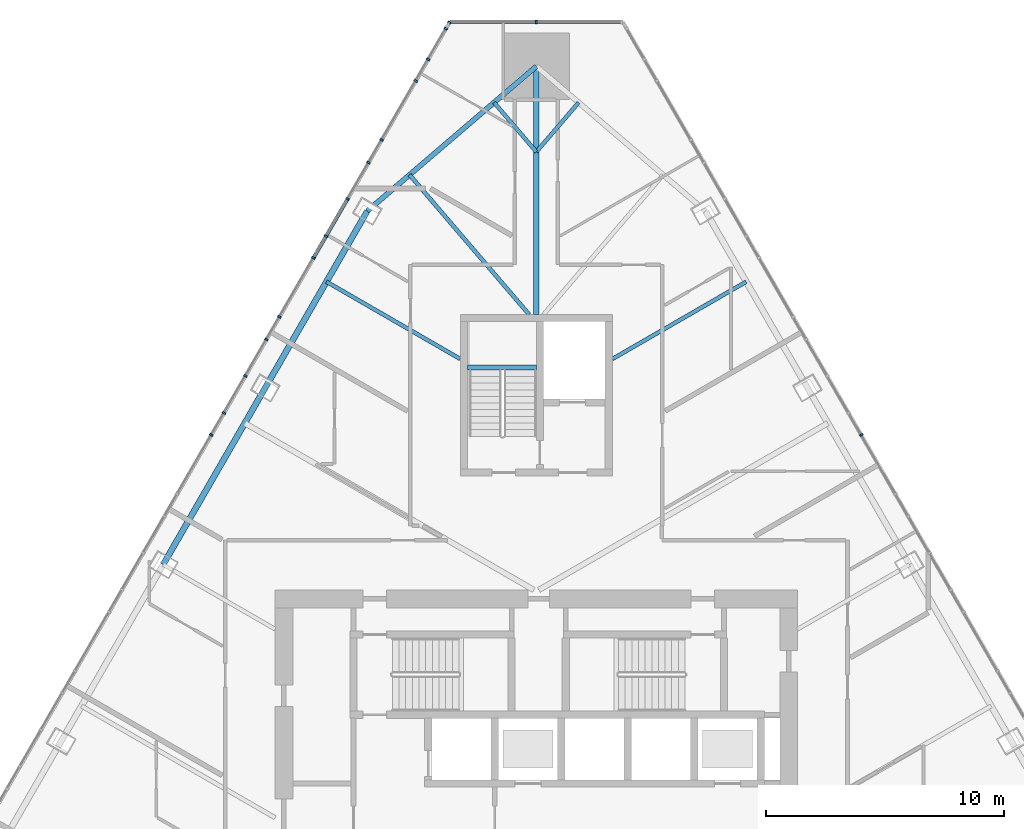
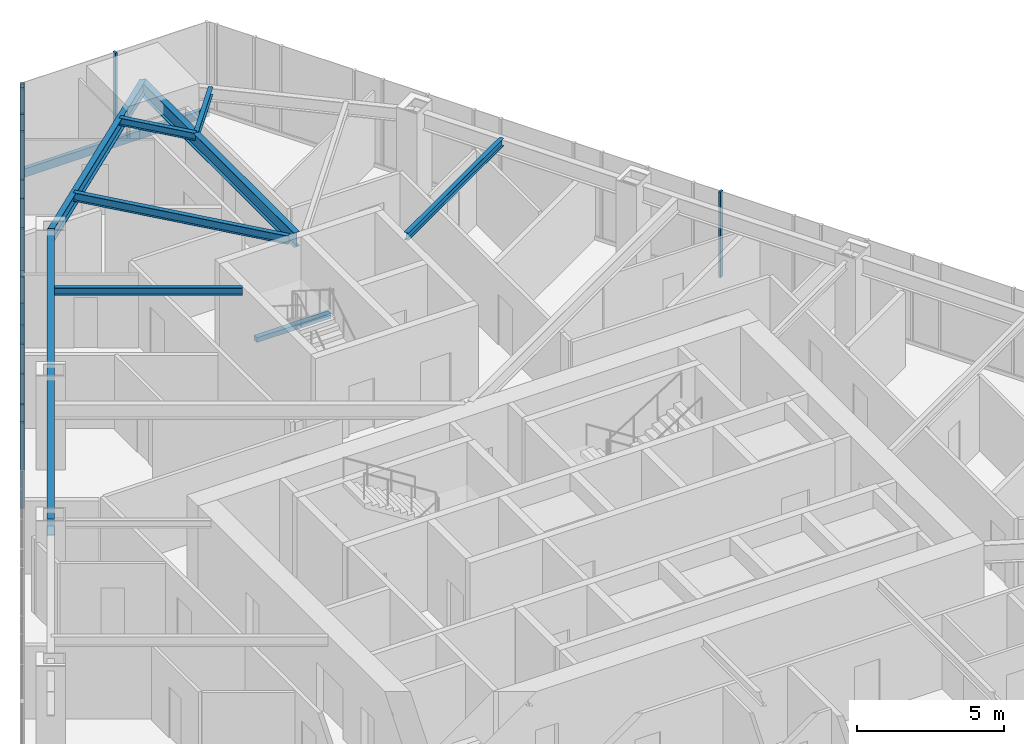
# One storey, part 11 of 24: 18 members, 9 beams, 3 elements without a shape of their own.
"""IFC4 building model written with IfcOpenShell, lengths in metres."""

from ifc_helpers import new_model, si_unit, direction, frame, origin, origin_2d, place, context, subcontext, project, spatial, rectangle, i_section, extrude, material, layer, layer_set, material_profile, profile_set, type_object, element, aggregate, save


model = new_model("IFC4")

# Units and contexts
model_context = context("Model", 3, precision=1e-05, world=origin(), true_north=direction((0.0, 1.0)))
body_context = subcontext(model_context, "Body", "Model", "MODEL_VIEW")
ifc_project = project(units=[si_unit("LENGTHUNIT", "METRE"), si_unit("AREAUNIT", "SQUARE_METRE"), si_unit("VOLUMEUNIT", "CUBIC_METRE"), si_unit("PLANEANGLEUNIT", "RADIAN"), si_unit("MASSUNIT", "GRAM", prefix="KILO")], contexts=[model_context])

# Site, building, storey
site_placement = place(None, origin())
site = spatial("IfcSite", under=ifc_project, at=site_placement, CompositionType="ELEMENT")
building_placement = place(site_placement, origin())
building = spatial("IfcBuilding", under=site, at=building_placement, Name="Firuza Gate Tower and Library", CompositionType="ELEMENT")
storey_placement = place(building_placement, frame((0.0, 0.0, 206.5)))
storey = spatial("IfcBuildingStorey", under=building, at=storey_placement, Name="L48", CompositionType="ELEMENT", Elevation=206.5)

# Curtain wall, member
ifc_material_1 = material(Name="Aluminium 6063-T6", Category="aluminium")
ifc_layer_1 = layer(ifc_material_1, 0.14990234375)
ifc_layer_set_1 = layer_set([ifc_layer_1], Name="Unitised curtain wall, hotel")
curtain_wall_type_1 = type_object("IfcCurtainWallType", Name="Unitised curtain wall, hotel", PredefinedType="NOTDEFINED", material=ifc_layer_set_1)
placement = place(storey_placement, origin())
curtain_wall_1 = element("IfcCurtainWall", 1, at=placement, inside=storey, type_object=curtain_wall_type_1, Name="CW2 L48 E face", PredefinedType="NOTDEFINED")
ifc_material_2 = material(Name="Aluminium 6063-T6", Category="aluminium")
ifc_material_profile_1 = material_profile(ifc_material_2, rectangle(XDim=0.14990234375, YDim=0.080078125, at=origin_2d()))
ifc_profile_set_1 = profile_set([ifc_material_profile_1], Name="Aluminium 6063-T6")
member_type_1 = type_object("IfcMemberType", Name="Curtain wall mullion 80x150", PredefinedType="MULLION", material=ifc_profile_set_1)
member_1_placement = place(storey_placement, frame((88.686279296875, 89.5283203125, 0.14990234375), z_axis=(0.0, 0.0, 1.0), x_axis=(-0.866025403784, -0.5, 0.0)))
member_1 = element("IfcMember", 2, at=member_1_placement, type_object=member_type_1, Name="Mullion", PredefinedType="MULLION", context=body_context, shape_type="SweptSolid", body=[
    extrude(rectangle(XDim=0.14990234375, YDim=0.080078125, at=origin_2d()), origin(), (0.0, 0.0, 1.0), 3.550048828125),
])
aggregate(curtain_wall_1, [member_1])

ifc_material_3 = material(Name="Aluminium 6063-T6", Category="aluminium")
ifc_layer_2 = layer(ifc_material_3, 0.14990234375)
ifc_layer_set_2 = layer_set([ifc_layer_2], Name="Corner curtain wall, chamfers")
curtain_wall_type_2 = type_object("IfcCurtainWallType", Name="Corner curtain wall, chamfers", PredefinedType="NOTDEFINED", material=ifc_layer_set_2)
curtain_wall_2 = element("IfcCurtainWall", 3, at=placement, inside=storey, type_object=curtain_wall_type_2, Name="CW4 L48 N corner", PredefinedType="NOTDEFINED")
member_2_placement = place(storey_placement, frame((75.0, 106.923095703125, 0.14990234375), z_axis=(0.0, 0.0, 1.0), x_axis=(0.0, -1.0, 0.0)))
member_2 = element("IfcMember", 4, at=member_2_placement, type_object=member_type_1, Name="Mullion", PredefinedType="MULLION", context=body_context, shape_type="SweptSolid", body=[
    extrude(rectangle(XDim=0.14990234375, YDim=0.080078125, at=origin_2d()), origin(), (0.0, 0.0, 1.0), 3.550048828125),
])

# Curtain wall, members
curtain_wall_3 = element("IfcCurtainWall", 5, at=placement, inside=storey, type_object=curtain_wall_type_1, Name="CW2 L48 W face", PredefinedType="NOTDEFINED")
member_3_placement = place(storey_placement, frame((71.336669921875, 106.888427734375, 0.14990234375), z_axis=(0.0, 0.0, 1.0), x_axis=(0.866025403784, -0.5, 0.0)))
member_3 = element("IfcMember", 6, at=member_3_placement, type_object=member_type_1, Name="Mullion", PredefinedType="MULLION", context=body_context, shape_type="SweptSolid", body=[
    extrude(rectangle(XDim=0.14990234375, YDim=0.080078125, at=origin_2d()), origin(), (0.0, 0.0, 1.0), 3.550048828125),
])
member_4_placement = place(storey_placement, frame((69.922119140625, 104.43798828125, 0.14990234375), z_axis=(0.0, 0.0, 1.0), x_axis=(0.866025403784, -0.5, 0.0)))
member_4 = element("IfcMember", 7, at=member_4_placement, type_object=member_type_1, Name="Mullion", PredefinedType="MULLION", context=body_context, shape_type="SweptSolid", body=[
    extrude(rectangle(XDim=0.14990234375, YDim=0.080078125, at=origin_2d()), origin(), (0.0, 0.0, 1.0), 3.550048828125),
])
member_5_placement = place(storey_placement, frame((68.4873046875, 101.953125, 0.14990234375), z_axis=(0.0, 0.0, 1.0), x_axis=(0.866025403784, -0.5, 0.0)))
member_5 = element("IfcMember", 8, at=member_5_placement, type_object=member_type_1, Name="Mullion", PredefinedType="MULLION", context=body_context, shape_type="SweptSolid", body=[
    extrude(rectangle(XDim=0.14990234375, YDim=0.080078125, at=origin_2d()), origin(), (0.0, 0.0, 1.0), 3.550048828125),
])
member_6_placement = place(storey_placement, frame((67.052734375, 99.46826171875, 0.14990234375), z_axis=(0.0, 0.0, 1.0), x_axis=(0.866025403784, -0.5, 0.0)))
member_6 = element("IfcMember", 9, at=member_6_placement, type_object=member_type_1, Name="Mullion", PredefinedType="MULLION", context=body_context, shape_type="SweptSolid", body=[
    extrude(rectangle(XDim=0.14990234375, YDim=0.080078125, at=origin_2d()), origin(), (0.0, 0.0, 1.0), 3.550048828125),
])
member_7_placement = place(storey_placement, frame((65.617919921875, 96.983154296875, 0.14990234375), z_axis=(0.0, 0.0, 1.0), x_axis=(0.866025403784, -0.5, 0.0)))
member_7 = element("IfcMember", 10, at=member_7_placement, type_object=member_type_1, Name="Mullion", PredefinedType="MULLION", context=body_context, shape_type="SweptSolid", body=[
    extrude(rectangle(XDim=0.14990234375, YDim=0.080078125, at=origin_2d()), origin(), (0.0, 0.0, 1.0), 3.550048828125),
])
member_8_placement = place(storey_placement, frame((64.18310546875, 94.498291015625, 0.14990234375), z_axis=(0.0, 0.0, 1.0), x_axis=(0.866025403784, -0.5, 0.0)))
member_8 = element("IfcMember", 11, at=member_8_placement, type_object=member_type_1, Name="Mullion", PredefinedType="MULLION", context=body_context, shape_type="SweptSolid", body=[
    extrude(rectangle(XDim=0.14990234375, YDim=0.080078125, at=origin_2d()), origin(), (0.0, 0.0, 1.0), 3.550048828125),
])
member_9_placement = place(storey_placement, frame((62.74853515625, 92.01318359375, 0.14990234375), z_axis=(0.0, 0.0, 1.0), x_axis=(0.866025403784, -0.5, 0.0)))
member_9 = element("IfcMember", 12, at=member_9_placement, type_object=member_type_1, Name="Mullion", PredefinedType="MULLION", context=body_context, shape_type="SweptSolid", body=[
    extrude(rectangle(XDim=0.14990234375, YDim=0.080078125, at=origin_2d()), origin(), (0.0, 0.0, 1.0), 3.550048828125),
])
member_10_placement = place(storey_placement, frame((61.313720703125, 89.5283203125, 0.14990234375), z_axis=(0.0, 0.0, 1.0), x_axis=(0.866025403784, -0.5, 0.0)))
member_10 = element("IfcMember", 13, at=member_10_placement, type_object=member_type_1, Name="Mullion", PredefinedType="MULLION", context=body_context, shape_type="SweptSolid", body=[
    extrude(rectangle(XDim=0.14990234375, YDim=0.080078125, at=origin_2d()), origin(), (0.0, 0.0, 1.0), 3.550048828125),
])
member_11_placement = place(storey_placement, frame((71.191162109375, 106.63623046875, 0.14990234375), z_axis=(0.0, 0.0, 1.0), x_axis=(0.866025403784, -0.5, 0.0)))
member_11 = element("IfcMember", 14, at=member_11_placement, type_object=member_type_1, Name="Mullion", PredefinedType="MULLION", context=body_context, shape_type="SweptSolid", body=[
    extrude(rectangle(XDim=0.14990234375, YDim=0.080078125, at=origin_2d()), origin(), (0.0, 0.0, 1.0), 3.550048828125),
])
member_12_placement = place(storey_placement, frame((70.44189453125, 105.33837890625, 0.14990234375), z_axis=(0.0, 0.0, 1.0), x_axis=(0.866025403784, -0.5, 0.0)))
member_12 = element("IfcMember", 15, at=member_12_placement, type_object=member_type_1, Name="Mullion", PredefinedType="MULLION", context=body_context, shape_type="SweptSolid", body=[
    extrude(rectangle(XDim=0.14990234375, YDim=0.080078125, at=origin_2d()), origin(), (0.0, 0.0, 1.0), 3.550048828125),
])
member_13_placement = place(storey_placement, frame((67.931396484375, 100.990234375, 0.14990234375), z_axis=(0.0, 0.0, 1.0), x_axis=(0.866025403784, -0.5, 0.0)))
member_13 = element("IfcMember", 16, at=member_13_placement, type_object=member_type_1, Name="Mullion", PredefinedType="MULLION", context=body_context, shape_type="SweptSolid", body=[
    extrude(rectangle(XDim=0.14990234375, YDim=0.080078125, at=origin_2d()), origin(), (0.0, 0.0, 1.0), 3.550048828125),
])
member_14_placement = place(storey_placement, frame((66.14501953125, 97.89599609375, 0.14990234375), z_axis=(0.0, 0.0, 1.0), x_axis=(0.866025403784, -0.5, 0.0)))
member_14 = element("IfcMember", 17, at=member_14_placement, type_object=member_type_1, Name="Mullion", PredefinedType="MULLION", context=body_context, shape_type="SweptSolid", body=[
    extrude(rectangle(XDim=0.14990234375, YDim=0.080078125, at=origin_2d()), origin(), (0.0, 0.0, 1.0), 1.735107421875),
])
member_15_placement = place(storey_placement, frame((63.634521484375, 93.5478515625, 0.14990234375), z_axis=(0.0, 0.0, 1.0), x_axis=(0.866025403784, -0.5, 0.0)))
member_15 = element("IfcMember", 18, at=member_15_placement, type_object=member_type_1, Name="Mullion", PredefinedType="MULLION", context=body_context, shape_type="SweptSolid", body=[
    extrude(rectangle(XDim=0.14990234375, YDim=0.080078125, at=origin_2d()), origin(), (0.0, 0.0, 1.0), 3.550048828125),
])
member_16_placement = place(storey_placement, frame((61.84814453125, 90.45361328125, 0.14990234375), z_axis=(0.0, 0.0, 1.0), x_axis=(0.866025403784, -0.5, 0.0)))
member_16 = element("IfcMember", 19, at=member_16_placement, type_object=member_type_1, Name="Mullion", PredefinedType="MULLION", context=body_context, shape_type="SweptSolid", body=[
    extrude(rectangle(XDim=0.14990234375, YDim=0.080078125, at=origin_2d()), origin(), (0.0, 0.0, 1.0), 3.550048828125),
])

# Member
ifc_material_4 = material(Name="Aluminium 6063-T6", Category="aluminium")
ifc_material_profile_2 = material_profile(ifc_material_4, rectangle(XDim=0.14990234375, YDim=0.35009765625, at=origin_2d()))
ifc_profile_set_2 = profile_set([ifc_material_profile_2], Name="Aluminium 6063-T6")
member_type_2 = type_object("IfcMemberType", Name="Curtain wall transom 350x150", PredefinedType="USERDEFINED", material=ifc_profile_set_2)
member_17_placement = place(storey_placement, frame((78.643310546875, 106.923095703125, -0.02490234375), z_axis=(-1.0, 0.0, 0.0), x_axis=(0.0, -1.0, 0.0)))
member_17 = element("IfcMember", 20, at=member_17_placement, type_object=member_type_2, Name="Transom", ObjectType="TRANSOM", PredefinedType="USERDEFINED", context=body_context, shape_type="SweptSolid", body=[
    extrude(rectangle(XDim=0.14990234375, YDim=0.35009765625, at=origin_2d()), origin(), (0.0, 0.0, 1.0), 7.28662109375),
])

aggregate(curtain_wall_2, [member_2, member_17])

ifc_material_5 = material(Name="Aluminium 6063-T6", Category="aluminium")
ifc_material_profile_3 = material_profile(ifc_material_5, rectangle(XDim=0.14990234375, YDim=0.080078125, at=origin_2d()))
ifc_profile_set_3 = profile_set([ifc_material_profile_3], Name="Aluminium 6063-T6")
member_type_3 = type_object("IfcMemberType", Name="Curtain wall transom 80x150", PredefinedType="USERDEFINED", material=ifc_profile_set_3)
member_18_placement = place(storey_placement, frame((67.03271484375, 99.43359375, 1.925048828125), z_axis=(-0.500007816904, -0.866020890646, 0.0), x_axis=(0.866020890646, -0.500007816904, 0.0)))
member_18 = element("IfcMember", 21, at=member_18_placement, type_object=member_type_3, Name="Transom", ObjectType="TRANSOM", PredefinedType="USERDEFINED", context=body_context, shape_type="SweptSolid", body=[
    extrude(rectangle(XDim=0.14990234375, YDim=0.080078125, at=origin_2d()), origin(), (0.0, 0.0, 1.0), 2.78955078125),
])

aggregate(curtain_wall_3, [member_3, member_4, member_5, member_6, member_7, member_8, member_9, member_10, member_11, member_12, member_13, member_14, member_18, member_15, member_16])

# Beams
ifc_material_6 = material(Name="Concrete C35/45", Category="concrete")
ifc_material_profile_4 = material_profile(ifc_material_6, rectangle(XDim=0.199951171875, YDim=0.199951171875, at=origin_2d()))
ifc_profile_set_4 = profile_set([ifc_material_profile_4], Name="Concrete C35/45")
beam_type_1 = type_object("IfcBeamType", Name="Stair landing bearer 200x200", PredefinedType="BEAM", material=ifc_profile_set_4)
beam_1_placement = place(storey_placement, frame((75.0, 92.3701171875, 1.64990234375), z_axis=(-1.0, 0.0, 0.0), x_axis=(0.0, -1.0, 0.0)))
element("IfcBeam", 22, at=beam_1_placement, inside=storey, type_object=beam_type_1, Name="Landing bearer L48 stair 3", PredefinedType="BEAM", context=body_context, shape_type="SweptSolid", body=[
    extrude(rectangle(XDim=0.199951171875, YDim=0.199951171875, at=origin_2d()), origin(), (0.0, 0.0, 1.0), 2.89990234375),
])
ifc_material_7 = material(Name="Steel S355", Category="steel")
ifc_material_profile_5 = material_profile(ifc_material_7, i_section(OverallWidth=0.1650390625, OverallDepth=0.31005859375, WebThickness=0.005859375, FlangeThickness=0.009765625, at=origin_2d()))
ifc_profile_set_5 = profile_set([ifc_material_profile_5], Name="Steel S355")
beam_type_2 = type_object("IfcBeamType", Name="W310x39 Floor beam", PredefinedType="JOIST", material=ifc_profile_set_5)
beam_2_placement = place(storey_placement, frame((83.836181640625, 95.978759765625, 3.544921875), z_axis=(-0.866020665746, -0.500008206434, 0.0), x_axis=(0.500008206434, -0.866020665746, 0.0)))
element("IfcBeam", 23, at=beam_2_placement, inside=storey, type_object=beam_type_2, Name="Floor beam L48 s54", PredefinedType="JOIST", context=body_context, shape_type="SweptSolid", body=[
    extrude(i_section(OverallWidth=0.1650390625, OverallDepth=0.31005859375, WebThickness=0.005859375, FlangeThickness=0.009765625, at=origin_2d()), origin(), (0.0, 0.0, 1.0), 6.50830078125),
])
for number, where, z_axis, x_axis, name in (
    (24, (76.779296875, 103.52490234375, 3.544921875), (-0.650291557342, -0.759684730957, 0.0), (0.759684730957, -0.650291557342, 0.0), "Floor beam L48 s61"),
    (25, (73.220703125, 103.52490234375, 3.544921875), (0.650291557342, -0.759684730957, 0.0), (0.759684730957, 0.650291557342, 0.0), "Floor beam L48 s70"),
):
    element("IfcBeam", number, at=place(storey_placement, frame(where, z_axis=z_axis, x_axis=x_axis)), inside=storey, type_object=beam_type_2, Name=name, PredefinedType="JOIST", context=body_context, shape_type="SweptSolid", body=[
        extrude(i_section(OverallWidth=0.1650390625, OverallDepth=0.31005859375, WebThickness=0.005859375, FlangeThickness=0.009765625, at=origin_2d()), origin(), (0.0, 0.0, 1.0), 2.736083984375),
    ])
beam_3_placement = place(storey_placement, frame((66.163818359375, 95.978759765625, 3.544921875), z_axis=(0.866020665746, -0.500008206434, 0.0), x_axis=(0.500008206434, 0.866020665746, 0.0)))
element("IfcBeam", 26, at=beam_3_placement, inside=storey, type_object=beam_type_2, Name="Floor beam L48 s80", PredefinedType="JOIST", context=body_context, shape_type="SweptSolid", body=[
    extrude(i_section(OverallWidth=0.1650390625, OverallDepth=0.31005859375, WebThickness=0.005859375, FlangeThickness=0.009765625, at=origin_2d()), origin(), (0.0, 0.0, 1.0), 6.50830078125),
])
ifc_material_8 = material(Name="Steel S355", Category="steel")
ifc_material_profile_6 = material_profile(ifc_material_8, i_section(OverallWidth=0.1708984375, OverallDepth=0.35498046875, WebThickness=0.007080078125, FlangeThickness=0.01171875, at=origin_2d()))
ifc_profile_set_6 = profile_set([ifc_material_profile_6], Name="Steel S355")
beam_type_3 = type_object("IfcBeamType", Name="W360x51 Floor beam", PredefinedType="JOIST", material=ifc_profile_set_6)
beam_4_placement = place(storey_placement, frame((69.661865234375, 100.478759765625, 3.5224609375), z_axis=(0.650297579559, -0.759679575887, 0.0), x_axis=(0.759679575887, 0.650297579559, 0.0)))
element("IfcBeam", 27, at=beam_4_placement, inside=storey, type_object=beam_type_3, Name="Floor beam L48 s71", PredefinedType="JOIST", context=body_context, shape_type="SweptSolid", body=[
    extrude(i_section(OverallWidth=0.1708984375, OverallDepth=0.35498046875, WebThickness=0.007080078125, FlangeThickness=0.01171875, at=origin_2d()), origin(), (0.0, 0.0, 1.0), 7.73828125),
])
ifc_material_9 = material(Name="Steel S355", Category="steel")
ifc_material_profile_7 = material_profile(ifc_material_9, i_section(OverallWidth=0.212890625, OverallDepth=0.5390625, WebThickness=0.01171875, FlangeThickness=0.018798828125, at=origin_2d()))
ifc_profile_set_7 = profile_set([ifc_material_profile_7], Name="Steel S355")
beam_type_4 = type_object("IfcBeamType", Name="W530x109 Edge beam", PredefinedType="SPANDREL", material=ifc_profile_set_7)
beam_5_placement = place(storey_placement, frame((75.0, 105.048095703125, 3.430419921875), z_axis=(-0.759685024289, -0.650291214665, 0.0), x_axis=(0.650291214665, -0.759685024289, 0.0)))
element("IfcBeam", 28, at=beam_5_placement, inside=storey, type_object=beam_type_4, Name="Edge beam L48 e70", PredefinedType="SPANDREL", context=body_context, shape_type="SweptSolid", body=[
    extrude(i_section(OverallWidth=0.212890625, OverallDepth=0.5390625, WebThickness=0.01171875, FlangeThickness=0.018798828125, at=origin_2d()), origin(), (0.0, 0.0, 1.0), 9.368896484375),
])
ifc_material_10 = material(Name="Steel S355", Category="steel")
ifc_material_profile_8 = material_profile(ifc_material_10, i_section(OverallWidth=0.22802734375, OverallDepth=0.60302734375, WebThickness=0.010498046875, FlangeThickness=0.014892578125, at=origin_2d()))
ifc_profile_set_8 = profile_set([ifc_material_profile_8], Name="Steel S355")
beam_type_5 = type_object("IfcBeamType", Name="W610x101 Girder", PredefinedType="BEAM", material=ifc_profile_set_8)
beam_6_placement = place(storey_placement, frame((75.0, 105.048095703125, 3.3984375), z_axis=(0.0, -1.0, 0.0), x_axis=(1.0, 0.0, 0.0)))
element("IfcBeam", 29, at=beam_6_placement, inside=storey, type_object=beam_type_5, Name="Girder L48 gN", PredefinedType="BEAM", context=body_context, shape_type="SweptSolid", body=[
    extrude(i_section(OverallWidth=0.22802734375, OverallDepth=0.60302734375, WebThickness=0.010498046875, FlangeThickness=0.014892578125, at=origin_2d()), origin(), (0.0, 0.0, 1.0), 10.447998046875),
])
ifc_material_11 = material(Name="Steel S355", Category="steel")
ifc_material_profile_9 = material_profile(ifc_material_11, i_section(OverallWidth=0.2529296875, OverallDepth=0.677978515625, WebThickness=0.01171875, FlangeThickness=0.016357421875, at=origin_2d()))
ifc_profile_set_9 = profile_set([ifc_material_profile_9], Name="Steel S355")
beam_type_6 = type_object("IfcBeamType", Name="W690x125 Edge beam", PredefinedType="SPANDREL", material=ifc_profile_set_9)
beam_7_placement = place(storey_placement, frame((67.882568359375, 98.95556640625, 3.361083984375), z_axis=(-0.500001158966, -0.866024734654, 0.0), x_axis=(0.866024734654, -0.500001158966, 0.0)))
element("IfcBeam", 30, at=beam_7_placement, inside=storey, type_object=beam_type_6, Name="Edge beam L48 e80", PredefinedType="SPANDREL", context=body_context, shape_type="SweptSolid", body=[
    extrude(i_section(OverallWidth=0.2529296875, OverallDepth=0.677978515625, WebThickness=0.01171875, FlangeThickness=0.016357421875, at=origin_2d()), origin(), (0.0, 0.0, 1.0), 17.1875),
])

save(model, "model.ifc")
